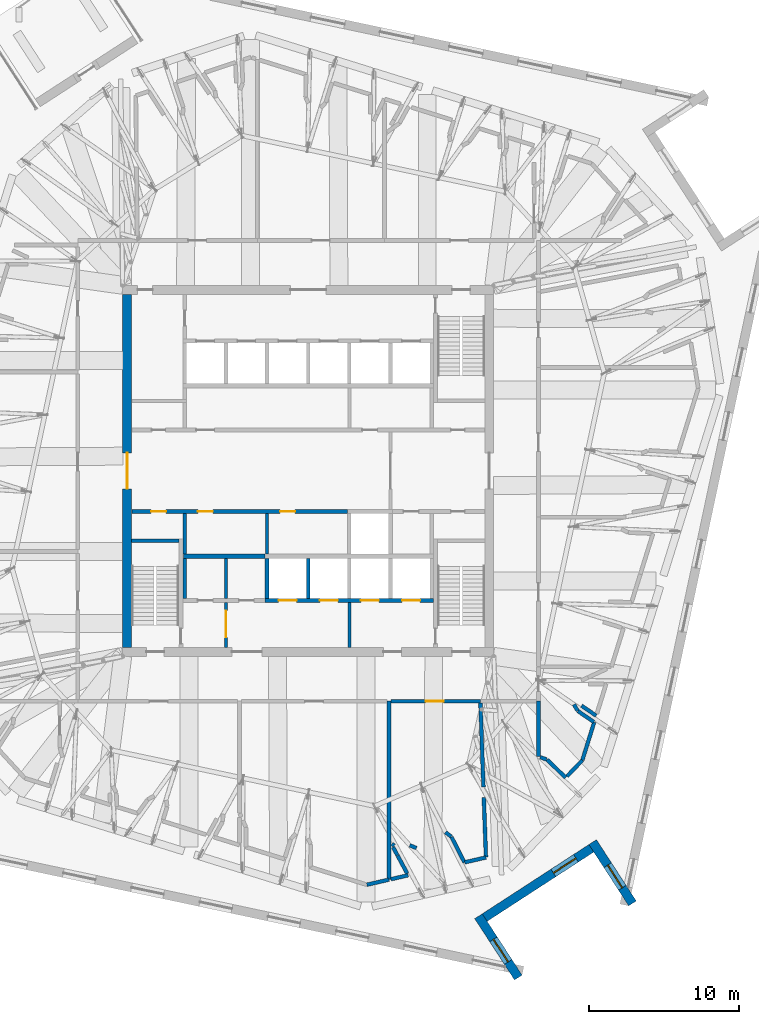
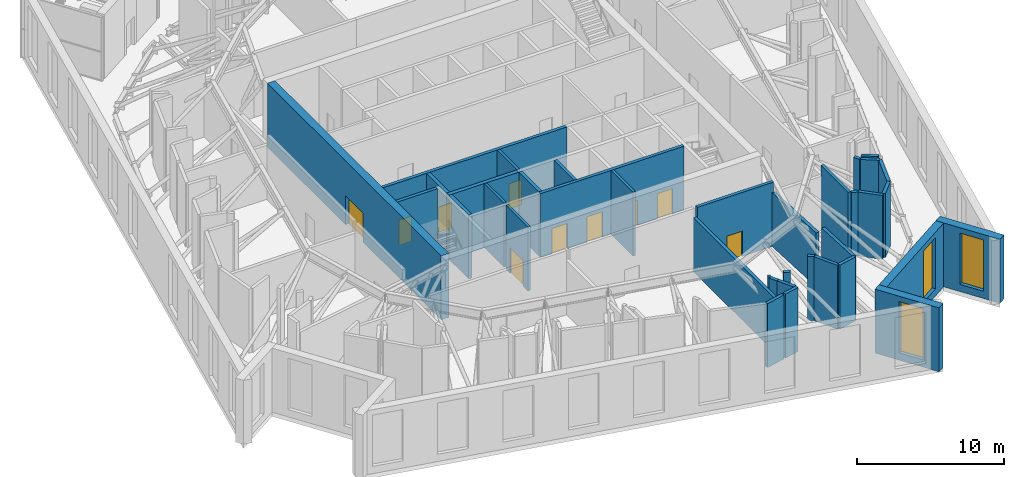
# One storey, part 8 of 19: 37 walls, 10 doors, 3 windows, 13 openings.
"""IFC4 building model written with IfcOpenShell, lengths in metres."""

from ifc_helpers import new_model, si_unit, direction, frame, frame_2d, origin, place, context, subcontext, project, spatial, rectangle, extrude, material, layer, layer_set, type_object, element, fill, save


model = new_model("IFC4")

# Units and contexts
model_context = context("Model", 3, precision=1e-05, world=origin(), true_north=direction((0.0, 1.0)))
body_context = subcontext(model_context, "Body", "Model", "MODEL_VIEW")
ifc_project = project(units=[si_unit("LENGTHUNIT", "METRE"), si_unit("AREAUNIT", "SQUARE_METRE"), si_unit("VOLUMEUNIT", "CUBIC_METRE"), si_unit("PLANEANGLEUNIT", "RADIAN"), si_unit("MASSUNIT", "GRAM", prefix="KILO")], contexts=[model_context])

# Site, building, storey
site_placement = place(None, origin())
site = spatial("IfcSite", under=ifc_project, at=site_placement, CompositionType="ELEMENT")
building_placement = place(site_placement, origin())
building = spatial("IfcBuilding", under=site, at=building_placement, Name="Dilmun Exchange Tower", CompositionType="ELEMENT")
storey_placement = place(building_placement, frame((0.0, 0.0, 344.5)))
storey = spatial("IfcBuildingStorey", under=building, at=storey_placement, Name="L82", CompositionType="ELEMENT", Elevation=344.5)

# Wall, opening, door
ifc_material_1 = material(Name="Concrete C40/50", Category="concrete")
ifc_layer_1 = layer(ifc_material_1, 0.199951171875)
ifc_layer_set_1 = layer_set([ifc_layer_1], Name="Concrete C40/50")
wall_type_1 = type_object("IfcWallType", Name="Core partition wall 200", PredefinedType="PARTITIONING", material=ifc_layer_set_1)
wall_1_placement = place(storey_placement, frame((-5.5, -11.794921875, 0.0), z_axis=(0.0, 0.0, 1.0), x_axis=(0.0, 1.0, 0.0)))
wall_1 = element("IfcWall", 1, at=wall_1_placement, inside=storey, type_object=wall_type_1, Name="L82 core partition wall 01", PredefinedType="PARTITIONING", context=body_context, shape_type="SweptSolid", body=[
    extrude(rectangle(XDim=2.989990234375, YDim=0.199951171875, at=frame_2d((1.4951171875, 0.0))), origin(), (0.0, 0.0, 1.0), 5.300048828125),
])
opening_1_placement = place(wall_1_placement, frame((0.657470703125, 0.0, 0.0)))
opening_1 = element("IfcOpeningElement", 2, at=opening_1_placement, cuts=wall_1, Name="Opening CD5", PredefinedType="OPENING", context=body_context, shape_type="SweptSolid", body=[
    extrude(rectangle(XDim=1.800048828125, YDim=2.10009765625, at=frame_2d((0.89990234375, 1.050048828125))), frame((0.0, 0.10986328125, 0.0), z_axis=(0.0, -1.0, 0.0), x_axis=(1.0, 0.0, 0.0)), (0.0, 0.0, 1.0), 0.219970703125),
])
ifc_material_2 = material(Name="Fire-rated steel door set", Category="steel")
door_type_1 = type_object("IfcDoorType", Name="Stair exit door 1800x2100", OperationType="SINGLE_SWING_LEFT", PredefinedType="DOOR", material=ifc_material_2)
door_1_placement = place(opening_1_placement, origin())
door_1 = element("IfcDoor", 3, at=door_1_placement, inside=storey, type_object=door_type_1, Name="L82 door Service lobby east", OperationType="SINGLE_SWING_LEFT", OverallHeight=2.10009765625, OverallWidth=1.800048828125, PredefinedType="DOOR", context=body_context, shape_type="SweptSolid", body=[
    extrude(rectangle(XDim=1.800048828125, YDim=2.10009765625, at=frame_2d((0.89990234375, 1.050048828125))), frame((0.0, 0.02490234375, 0.0), z_axis=(0.0, -1.0, 0.0), x_axis=(1.0, 0.0, 0.0)), (0.0, 0.0, 1.0), 0.050048828125),
])
fill(opening_1, door_1)

# Walls
wall_2_placement = place(storey_placement, frame((2.75, -11.794921875, 0.0), z_axis=(0.0, 0.0, 1.0), x_axis=(0.0, 1.0, 0.0)))
element("IfcWall", 4, at=wall_2_placement, inside=storey, type_object=wall_type_1, Name="L82 core partition wall 02", PredefinedType="PARTITIONING", context=body_context, shape_type="SweptSolid", body=[
    extrude(rectangle(XDim=2.989990234375, YDim=0.199951171875, at=frame_2d((1.4951171875, 0.0))), origin(), (0.0, 0.0, 1.0), 5.300048828125),
])
for number, where, z_axis, x_axis, name in (
    (5, (-5.5, -8.544921875, 0.0), (0.0, 0.0, 1.0), (0.0, 1.0, 0.0), "L82 core partition wall 05"),
    (6, (-2.75, -5.544921875, 0.0), (0.0, 0.0, 1.0), (0.0, 1.0, 0.0), "L82 core partition wall 08"),
):
    element("IfcWall", number, at=place(storey_placement, frame(where, z_axis=z_axis, x_axis=x_axis)), inside=storey, type_object=wall_type_1, Name=name, PredefinedType="PARTITIONING", context=body_context, shape_type="SweptSolid", body=[
        extrude(rectangle(XDim=2.68994140625, YDim=0.199951171875, at=frame_2d((1.344970703125, 0.0))), origin(), (0.0, 0.0, 1.0), 5.300048828125),
    ])
ifc_layer_2 = layer(ifc_material_1, 0.25)
ifc_layer_set_2 = layer_set([ifc_layer_2], Name="Concrete C40/50")
wall_type_2 = type_object("IfcWallType", Name="Core partition wall 250", PredefinedType="PARTITIONING", material=ifc_layer_set_2)
for number, where, z_axis, x_axis, name in (
    (7, (-8.25, -8.544921875, 0.0), (0.0, 0.0, 1.0), (0.0, 1.0, 0.0), "L82 core partition wall 04"),
    (8, (-8.25, -5.544921875, 0.0), (0.0, 0.0, 1.0), (0.0, 1.0, 0.0), "L82 core partition wall 07"),
):
    element("IfcWall", number, at=place(storey_placement, frame(where, z_axis=z_axis, x_axis=x_axis)), inside=storey, type_object=wall_type_2, Name=name, PredefinedType="PARTITIONING", context=body_context, shape_type="SweptSolid", body=[
        extrude(rectangle(XDim=2.68994140625, YDim=0.25, at=frame_2d((1.344970703125, 0.0))), origin(), (0.0, 0.0, 1.0), 5.300048828125),
    ])

# Wall, openings, doors
wall_3_placement = place(storey_placement, frame((-11.794921875, -2.72509765625, 0.0), z_axis=(0.0, 0.0, 1.0), x_axis=(1.0, 0.0, 0.0)))
wall_3 = element("IfcWall", 9, at=wall_3_placement, inside=storey, type_object=wall_type_2, Name="L82 core partition wall 10", PredefinedType="PARTITIONING", context=body_context, shape_type="SweptSolid", body=[
    extrude(rectangle(XDim=14.4150390625, YDim=0.25, at=frame_2d((7.20751953125, 0.0))), origin(), (0.0, 0.0, 1.0), 5.300048828125),
])
opening_2_placement = place(wall_3_placement, frame((1.294921875, 0.0, 0.0)))
opening_2 = element("IfcOpeningElement", 10, at=opening_2_placement, cuts=wall_3, Name="Opening CD4", PredefinedType="OPENING", context=body_context, shape_type="SweptSolid", body=[
    extrude(rectangle(XDim=1.0, YDim=2.10009765625, at=frame_2d((0.5, 1.050048828125))), frame((0.0, 0.135009765625, 0.0), z_axis=(0.0, -1.0, 0.0), x_axis=(1.0, 0.0, 0.0)), (0.0, 0.0, 1.0), 0.27001953125),
])
opening_3_placement = place(wall_3_placement, frame((4.419921875, 0.0, 0.0)))
opening_3 = element("IfcOpeningElement", 11, at=opening_3_placement, cuts=wall_3, Name="Opening CD4", PredefinedType="OPENING", context=body_context, shape_type="SweptSolid", body=[
    extrude(rectangle(XDim=1.0, YDim=2.10009765625, at=frame_2d((0.5, 1.050048828125))), frame((0.0, 0.135009765625, 0.0), z_axis=(0.0, -1.0, 0.0), x_axis=(1.0, 0.0, 0.0)), (0.0, 0.0, 1.0), 0.27001953125),
])
opening_4_placement = place(wall_3_placement, frame((9.919921875, 0.0, 0.0)))
opening_4 = element("IfcOpeningElement", 12, at=opening_4_placement, cuts=wall_3, Name="Opening CD4", PredefinedType="OPENING", context=body_context, shape_type="SweptSolid", body=[
    extrude(rectangle(XDim=1.0, YDim=2.10009765625, at=frame_2d((0.5, 1.050048828125))), frame((0.0, 0.135009765625, 0.0), z_axis=(0.0, -1.0, 0.0), x_axis=(1.0, 0.0, 0.0)), (0.0, 0.0, 1.0), 0.27001953125),
])
door_type_2 = type_object("IfcDoorType", Name="Core room door 1000x2100", OperationType="SINGLE_SWING_LEFT", PredefinedType="DOOR", material=ifc_material_2)
door_2_placement = place(opening_2_placement, origin())
door_2 = element("IfcDoor", 13, at=door_2_placement, inside=storey, type_object=door_type_2, Name="L82 door Accessible WC", OperationType="SINGLE_SWING_LEFT", OverallHeight=2.10009765625, OverallWidth=1.0, PredefinedType="DOOR", context=body_context, shape_type="SweptSolid", body=[
    extrude(rectangle(XDim=1.0, YDim=2.10009765625, at=frame_2d((0.5, 1.050048828125))), frame((0.0, 0.02490234375, 0.0), z_axis=(0.0, -1.0, 0.0), x_axis=(1.0, 0.0, 0.0)), (0.0, 0.0, 1.0), 0.050048828125),
])
fill(opening_2, door_2)
door_3_placement = place(opening_3_placement, origin())
door_3 = element("IfcDoor", 14, at=door_3_placement, inside=storey, type_object=door_type_2, Name="L82 door Mechanical room", OperationType="SINGLE_SWING_LEFT", OverallHeight=2.10009765625, OverallWidth=1.0, PredefinedType="DOOR", context=body_context, shape_type="SweptSolid", body=[
    extrude(rectangle(XDim=1.0, YDim=2.10009765625, at=frame_2d((0.5, 1.050048828125))), frame((0.0, 0.02490234375, 0.0), z_axis=(0.0, -1.0, 0.0), x_axis=(1.0, 0.0, 0.0)), (0.0, 0.0, 1.0), 0.050048828125),
])
fill(opening_3, door_3)
door_4_placement = place(opening_4_placement, origin())
door_4 = element("IfcDoor", 15, at=door_4_placement, inside=storey, type_object=door_type_2, Name="L82 door Tenant services room", OperationType="SINGLE_SWING_LEFT", OverallHeight=2.10009765625, OverallWidth=1.0, PredefinedType="DOOR", context=body_context, shape_type="SweptSolid", body=[
    extrude(rectangle(XDim=1.0, YDim=2.10009765625, at=frame_2d((0.5, 1.050048828125))), frame((0.0, 0.02490234375, 0.0), z_axis=(0.0, -1.0, 0.0), x_axis=(1.0, 0.0, 0.0)), (0.0, 0.0, 1.0), 0.050048828125),
])
fill(opening_4, door_4)

# Wall
ifc_layer_3 = layer(ifc_material_1, 0.300048828125)
ifc_layer_set_3 = layer_set([ifc_layer_3], Name="Concrete C40/50")
wall_type_3 = type_object("IfcWallType", Name="Core partition wall 300", PredefinedType="PARTITIONING", material=ifc_layer_set_3)
wall_4_placement = place(storey_placement, frame((-8.35009765625, -5.699951171875, 0.0), z_axis=(0.0, 0.0, 1.0), x_axis=(1.0, 0.0, 0.0)))
element("IfcWall", 16, at=wall_4_placement, inside=storey, type_object=wall_type_3, Name="L82 core partition wall 06", PredefinedType="PARTITIONING", context=body_context, shape_type="SweptSolid", body=[
    extrude(rectangle(XDim=5.47021484375, YDim=0.300048828125, at=frame_2d((2.735107421875, 0.0))), origin(), (0.0, 0.0, 1.0), 5.300048828125),
])

# Wall, opening, door
ifc_material_3 = material(Name="Concrete C50/60", Category="concrete")
ifc_layer_4 = layer(ifc_material_3, 0.60009765625)
ifc_layer_set_4 = layer_set([ifc_layer_4], Name="Concrete C50/60")
wall_type_4 = type_object("IfcWallType", Name="Core shear wall 600 Concrete C50/60", PredefinedType="SHEAR", material=ifc_layer_set_4)
wall_5_placement = place(storey_placement, frame((-12.10009765625, -11.800048828125, 0.0), z_axis=(0.0, 0.0, 1.0), x_axis=(0.0, 1.0, 0.0)))
wall_5 = element("IfcWall", 17, at=wall_5_placement, inside=storey, type_object=wall_type_4, Name="L82 core shear wall W", PredefinedType="SHEAR", context=body_context, shape_type="SweptSolid", body=[
    extrude(rectangle(XDim=23.60009765625, YDim=0.60009765625, at=frame_2d((11.800048828125, 0.0))), origin(), (0.0, 0.0, 1.0), 5.300048828125),
])
opening_5_placement = place(wall_5_placement, frame((10.60009765625, 0.0, 0.0)))
opening_5 = element("IfcOpeningElement", 18, at=opening_5_placement, cuts=wall_5, Name="Opening CD1", PredefinedType="OPENING", context=body_context, shape_type="SweptSolid", body=[
    extrude(rectangle(XDim=2.39990234375, YDim=2.39990234375, at=frame_2d((1.199951171875, 1.199951171875))), frame((0.0, 0.31005859375, 0.0), z_axis=(0.0, -1.0, 0.0), x_axis=(1.0, 0.0, 0.0)), (0.0, 0.0, 1.0), 0.6201171875),
])
door_type_3 = type_object("IfcDoorType", Name="Core lobby door 2400x2400", OperationType="DOUBLE_DOOR_DOUBLE_SWING", PredefinedType="DOOR", material=ifc_material_2)
door_5_placement = place(opening_5_placement, origin())
door_5 = element("IfcDoor", 19, at=door_5_placement, inside=storey, type_object=door_type_3, Name="L82 door Central lift lobby", OperationType="SINGLE_SWING_LEFT", OverallHeight=2.39990234375, OverallWidth=2.39990234375, PredefinedType="DOOR", context=body_context, shape_type="SweptSolid", body=[
    extrude(rectangle(XDim=2.39990234375, YDim=2.39990234375, at=frame_2d((1.199951171875, 1.199951171875))), frame((0.0, 0.02490234375, 0.0), z_axis=(0.0, -1.0, 0.0), x_axis=(1.0, 0.0, 0.0)), (0.0, 0.0, 1.0), 0.050048828125),
])
fill(opening_5, door_5)

# Wall, openings, doors
ifc_layer_5 = layer(ifc_material_1, 0.25)
ifc_layer_set_5 = layer_set([ifc_layer_5], Name="Concrete C40/50")
wall_type_5 = type_object("IfcWallType", Name="Lift shaft wall 250", PredefinedType="SOLIDWALL", material=ifc_layer_set_5)
wall_6_placement = place(storey_placement, frame((-2.875, -8.675048828125, 0.0), z_axis=(0.0, 0.0, 1.0), x_axis=(1.0, 0.0, 0.0)))
wall_6 = element("IfcWall", 20, at=wall_6_placement, inside=storey, type_object=wall_type_5, Name="L82 lift shaft front wall S2", PredefinedType="SOLIDWALL", context=body_context, shape_type="SweptSolid", body=[
    extrude(rectangle(XDim=11.25, YDim=0.25, at=frame_2d((5.625, 0.0))), origin(), (0.0, 0.0, 1.0), 5.300048828125),
])
opening_6_placement = place(wall_6_placement, frame((0.89990234375, 0.0, 0.0)))
opening_6 = element("IfcOpeningElement", 21, at=opening_6_placement, cuts=wall_6, Name="Opening LD", PredefinedType="OPENING", context=body_context, shape_type="SweptSolid", body=[
    extrude(rectangle(XDim=1.199951171875, YDim=2.10009765625, at=frame_2d((0.60009765625, 1.050048828125))), frame((0.0, 0.135009765625, 0.0), z_axis=(0.0, -1.0, 0.0), x_axis=(1.0, 0.0, 0.0)), (0.0, 0.0, 1.0), 0.27001953125),
])
opening_7_placement = place(wall_6_placement, frame((3.64990234375, 0.0, 0.0)))
opening_7 = element("IfcOpeningElement", 22, at=opening_7_placement, cuts=wall_6, Name="Opening LD", PredefinedType="OPENING", context=body_context, shape_type="SweptSolid", body=[
    extrude(rectangle(XDim=1.199951171875, YDim=2.10009765625, at=frame_2d((0.60009765625, 1.050048828125))), frame((0.0, 0.135009765625, 0.0), z_axis=(0.0, -1.0, 0.0), x_axis=(1.0, 0.0, 0.0)), (0.0, 0.0, 1.0), 0.27001953125),
])
opening_8_placement = place(wall_6_placement, frame((6.39990234375, 0.0, 0.0)))
opening_8 = element("IfcOpeningElement", 23, at=opening_8_placement, cuts=wall_6, Name="Opening LD", PredefinedType="OPENING", context=body_context, shape_type="SweptSolid", body=[
    extrude(rectangle(XDim=1.199951171875, YDim=2.10009765625, at=frame_2d((0.60009765625, 1.050048828125))), frame((0.0, 0.135009765625, 0.0), z_axis=(0.0, -1.0, 0.0), x_axis=(1.0, 0.0, 0.0)), (0.0, 0.0, 1.0), 0.27001953125),
])
opening_9_placement = place(wall_6_placement, frame((9.14990234375, 0.0, 0.0)))
opening_9 = element("IfcOpeningElement", 24, at=opening_9_placement, cuts=wall_6, Name="Opening LD", PredefinedType="OPENING", context=body_context, shape_type="SweptSolid", body=[
    extrude(rectangle(XDim=1.199951171875, YDim=2.10009765625, at=frame_2d((0.60009765625, 1.050048828125))), frame((0.0, 0.135009765625, 0.0), z_axis=(0.0, -1.0, 0.0), x_axis=(1.0, 0.0, 0.0)), (0.0, 0.0, 1.0), 0.27001953125),
])
door_type_4 = type_object("IfcDoorType", Name="Lift landing door 1200x2100", OperationType="DOUBLE_DOOR_SLIDING", PredefinedType="DOOR", material=ifc_material_2)
door_6_placement = place(opening_6_placement, origin())
door_6 = element("IfcDoor", 25, at=door_6_placement, inside=storey, type_object=door_type_4, Name="L82 landing door SV1", OperationType="DOUBLE_DOOR_SLIDING", OverallHeight=2.10009765625, OverallWidth=1.199951171875, PredefinedType="DOOR", context=body_context, shape_type="SweptSolid", body=[
    extrude(rectangle(XDim=1.199951171875, YDim=2.10009765625, at=frame_2d((0.60009765625, 1.050048828125))), frame((0.0, 0.02490234375, 0.0), z_axis=(0.0, -1.0, 0.0), x_axis=(1.0, 0.0, 0.0)), (0.0, 0.0, 1.0), 0.050048828125),
])
fill(opening_6, door_6)
door_7_placement = place(opening_7_placement, origin())
door_7 = element("IfcDoor", 26, at=door_7_placement, inside=storey, type_object=door_type_4, Name="L82 landing door SV2", OperationType="DOUBLE_DOOR_SLIDING", OverallHeight=2.10009765625, OverallWidth=1.199951171875, PredefinedType="DOOR", context=body_context, shape_type="SweptSolid", body=[
    extrude(rectangle(XDim=1.199951171875, YDim=2.10009765625, at=frame_2d((0.60009765625, 1.050048828125))), frame((0.0, 0.02490234375, 0.0), z_axis=(0.0, -1.0, 0.0), x_axis=(1.0, 0.0, 0.0)), (0.0, 0.0, 1.0), 0.050048828125),
])
fill(opening_7, door_7)
door_8_placement = place(opening_8_placement, origin())
door_8 = element("IfcDoor", 27, at=door_8_placement, inside=storey, type_object=door_type_4, Name="L82 landing door FF1", OperationType="DOUBLE_DOOR_SLIDING", OverallHeight=2.10009765625, OverallWidth=1.199951171875, PredefinedType="DOOR", context=body_context, shape_type="SweptSolid", body=[
    extrude(rectangle(XDim=1.199951171875, YDim=2.10009765625, at=frame_2d((0.60009765625, 1.050048828125))), frame((0.0, 0.02490234375, 0.0), z_axis=(0.0, -1.0, 0.0), x_axis=(1.0, 0.0, 0.0)), (0.0, 0.0, 1.0), 0.050048828125),
])
fill(opening_8, door_8)
door_9_placement = place(opening_9_placement, origin())
door_9 = element("IfcDoor", 28, at=door_9_placement, inside=storey, type_object=door_type_4, Name="L82 landing door FF2", OperationType="DOUBLE_DOOR_SLIDING", OverallHeight=2.10009765625, OverallWidth=1.199951171875, PredefinedType="DOOR", context=body_context, shape_type="SweptSolid", body=[
    extrude(rectangle(XDim=1.199951171875, YDim=2.10009765625, at=frame_2d((0.60009765625, 1.050048828125))), frame((0.0, 0.02490234375, 0.0), z_axis=(0.0, -1.0, 0.0), x_axis=(1.0, 0.0, 0.0)), (0.0, 0.0, 1.0), 0.050048828125),
])
fill(opening_9, door_9)

# Walls
for number, where, z_axis, x_axis, name in (
    (29, (-2.75, -8.550048828125, 0.0), (0.0, 0.0, 1.0), (0.0, 1.0, 0.0), "L82 lift shaft divider S22"),
    (30, (0.0, -8.550048828125, 0.0), (0.0, 0.0, 1.0), (0.0, 1.0, 0.0), "L82 lift shaft divider S23"),
):
    element("IfcWall", number, at=place(storey_placement, frame(where, z_axis=z_axis, x_axis=x_axis)), inside=storey, type_object=wall_type_5, Name=name, PredefinedType="SOLIDWALL", context=body_context, shape_type="SweptSolid", body=[
        extrude(rectangle(XDim=2.699951171875, YDim=0.25, at=frame_2d((1.35009765625, 0.0))), origin(), (0.0, 0.0, 1.0), 5.300048828125),
    ])
ifc_material_4 = material(Name="Concrete C32/40", Category="concrete")
ifc_layer_6 = layer(ifc_material_4, 0.25)
ifc_layer_set_6 = layer_set([ifc_layer_6], Name="Concrete C32/40")
wall_type_6 = type_object("IfcWallType", Name="Plant room wall 250", PredefinedType="PARTITIONING", material=ifc_layer_set_6)
wall_7_placement = place(storey_placement, frame((3.92138671875, -27.666259765625, 0.0), z_axis=(0.0, 0.0, 1.0), x_axis=(0.974796530955, 0.22309577145, 0.0)))
element("IfcWall", 31, at=wall_7_placement, inside=storey, type_object=wall_type_6, Name="L82 plant room wall 02", PredefinedType="PARTITIONING", context=body_context, shape_type="SweptSolid", body=[
    extrude(rectangle(XDim=1.516845703125, YDim=0.25, at=frame_2d((0.75830078125, 0.0))), origin(), (0.0, 0.0, 1.0), 5.300048828125),
])
wall_8_placement = place(storey_placement, frame((5.39990234375, -27.305419921875, 0.0), z_axis=(0.0, 0.0, 1.0), x_axis=(0.0, 1.0, 0.0)))
element("IfcWall", 32, at=wall_8_placement, inside=storey, type_object=wall_type_6, Name="L82 plant room wall 03", PredefinedType="PARTITIONING", context=body_context, shape_type="SweptSolid", body=[
    extrude(rectangle(XDim=11.905517578125, YDim=0.25, at=frame_2d((5.95263671875, 0.0))), origin(), (0.0, 0.0, 1.0), 4.466064453125),
])
wall_9_placement = place(storey_placement, frame((5.530029296875, -27.298095703125, 0.0), z_axis=(0.0, 0.0, 1.0), x_axis=(0.974830364518, 0.222947887214, 0.0)))
element("IfcWall", 33, at=wall_9_placement, inside=storey, type_object=wall_type_6, Name="L82 plant room wall 04", PredefinedType="PARTITIONING", context=body_context, shape_type="SweptSolid", body=[
    extrude(rectangle(XDim=1.184814453125, YDim=0.25, at=frame_2d((0.59228515625, 0.0))), origin(), (0.0, 0.0, 1.0), 5.300048828125),
])
wall_10_placement = place(storey_placement, frame((9.578125, -24.478515625, 0.0), z_axis=(0.0, 0.0, 1.0), x_axis=(0.454534722165, -0.890729019593, 0.0)))
element("IfcWall", 34, at=wall_10_placement, inside=storey, type_object=wall_type_6, Name="L82 plant room wall 06", PredefinedType="PARTITIONING", context=body_context, shape_type="SweptSolid", body=[
    extrude(rectangle(XDim=1.903564453125, YDim=0.25, at=frame_2d((0.95166015625, 0.0))), origin(), (0.0, 0.0, 1.0), 5.300048828125),
])
wall_11_placement = place(storey_placement, frame((10.463134765625, -26.16943359375, 0.0), z_axis=(0.0, 0.0, 1.0), x_axis=(0.974822047158, 0.222984251407, 0.0)))
element("IfcWall", 35, at=wall_11_placement, inside=storey, type_object=wall_type_6, Name="L82 plant room wall 08", PredefinedType="PARTITIONING", context=body_context, shape_type="SweptSolid", body=[
    extrude(rectangle(XDim=1.455078125, YDim=0.25, at=frame_2d((0.7275390625, 0.0))), origin(), (0.0, 0.0, 1.0), 5.300048828125),
])
wall_12_placement = place(storey_placement, frame((5.97509765625, -25.71826171875, 0.0), z_axis=(0.0, 0.0, 1.0), x_axis=(0.474784754211, -0.880101947031, 0.0)))
element("IfcWall", 36, at=wall_12_placement, inside=storey, type_object=wall_type_6, Name="L82 plant room wall 09", PredefinedType="PARTITIONING", context=body_context, shape_type="SweptSolid", body=[
    extrude(rectangle(XDim=1.360107421875, YDim=0.25, at=frame_2d((0.68017578125, 0.0))), origin(), (0.0, 0.0, 1.0), 5.300048828125),
])
wall_13_placement = place(storey_placement, frame((6.789306640625, -25.02734375, 0.0), z_axis=(0.0, 0.0, 1.0), x_axis=(0.919666384424, -0.392700574688, 0.0)))
element("IfcWall", 37, at=wall_13_placement, inside=storey, type_object=wall_type_6, Name="L82 plant room wall 10", PredefinedType="PARTITIONING", context=body_context, shape_type="SweptSolid", body=[
    extrude(rectangle(XDim=0.483642578125, YDim=0.25, at=frame_2d((0.24169921875, 0.0))), origin(), (0.0, 0.0, 1.0), 5.300048828125),
])
wall_14_placement = place(storey_placement, frame((5.59423828125, -24.93798828125, 0.0), z_axis=(0.0, 0.0, 1.0), x_axis=(0.802356564806, -0.596844990691, 0.0)))
element("IfcWall", 38, at=wall_14_placement, inside=storey, type_object=wall_type_6, Name="L82 plant room wall 11", PredefinedType="PARTITIONING", context=body_context, shape_type="SweptSolid", body=[
    extrude(rectangle(XDim=0.198486328125, YDim=0.25, at=frame_2d((0.09912109375, 0.0))), origin(), (0.0, 0.0, 1.0), 5.300048828125),
])
wall_15_placement = place(storey_placement, frame((5.673095703125, -25.158447265625, 0.0), z_axis=(0.0, 0.0, 1.0), x_axis=(0.474826296698, -0.880079535022, 0.0)))
element("IfcWall", 39, at=wall_15_placement, inside=storey, type_object=wall_type_6, Name="L82 plant room wall 15", PredefinedType="PARTITIONING", context=body_context, shape_type="SweptSolid", body=[
    extrude(rectangle(XDim=0.62109375, YDim=0.25, at=frame_2d((0.310546875, 0.0))), origin(), (0.0, 0.0, 1.0), 5.300048828125),
])
wall_16_placement = place(storey_placement, frame((9.17822265625, -24.158447265625, 0.0), z_axis=(0.0, 0.0, 1.0), x_axis=(0.788345635583, -0.61523260549, 0.0)))
element("IfcWall", 40, at=wall_16_placement, inside=storey, type_object=wall_type_6, Name="L82 plant room wall 18", PredefinedType="PARTITIONING", context=body_context, shape_type="SweptSolid", body=[
    extrude(rectangle(XDim=0.483642578125, YDim=0.25, at=frame_2d((0.24169921875, 0.0))), origin(), (0.0, 0.0, 1.0), 5.300048828125),
])
wall_17_placement = place(storey_placement, frame((11.73828125, -21.84765625, 0.0), z_axis=(0.0, 0.0, 1.0), x_axis=(0.035884399493, -0.999355947535, 0.0)))
element("IfcWall", 41, at=wall_17_placement, inside=storey, type_object=wall_type_6, Name="L82 plant room wall 32", PredefinedType="PARTITIONING", context=body_context, shape_type="SweptSolid", body=[
    extrude(rectangle(XDim=3.97314453125, YDim=0.25, at=frame_2d((1.986572265625, 0.0))), origin(), (0.0, 0.0, 1.0), 5.300048828125),
])
wall_18_placement = place(storey_placement, frame((15.9580078125, -19.3056640625, 0.0), z_axis=(0.0, 0.0, 1.0), x_axis=(0.7218419768, -0.692057917034, 0.0)))
element("IfcWall", 42, at=wall_18_placement, inside=storey, type_object=wall_type_6, Name="L82 plant room wall 39", PredefinedType="PARTITIONING", context=body_context, shape_type="SweptSolid", body=[
    extrude(rectangle(XDim=1.73779296875, YDim=0.25, at=frame_2d((0.868896484375, 0.0))), origin(), (0.0, 0.0, 1.0), 5.300048828125),
])
wall_19_placement = place(storey_placement, frame((17.30224609375, -20.414306640625, 0.0), z_axis=(0.0, 0.0, 1.0), x_axis=(0.692135440406, 0.721767644145, 0.0)))
element("IfcWall", 43, at=wall_19_placement, inside=storey, type_object=wall_type_6, Name="L82 plant room wall 41", PredefinedType="PARTITIONING", context=body_context, shape_type="SweptSolid", body=[
    extrude(rectangle(XDim=1.474853515625, YDim=0.25, at=frame_2d((0.7373046875, 0.0))), origin(), (0.0, 0.0, 1.0), 5.300048828125),
])
wall_20_placement = place(storey_placement, frame((15.50341796875, -19.144287109375, 0.0), z_axis=(0.0, 0.0, 1.0), x_axis=(0.946618463561, -0.322356145351, 0.0)))
element("IfcWall", 44, at=wall_20_placement, inside=storey, type_object=wall_type_6, Name="L82 plant room wall 42", PredefinedType="PARTITIONING", context=body_context, shape_type="SweptSolid", body=[
    extrude(rectangle(XDim=0.45361328125, YDim=0.25, at=frame_2d((0.226806640625, 0.0))), origin(), (0.0, 0.0, 1.0), 5.300048828125),
])
wall_21_placement = place(storey_placement, frame((15.39990234375, -19.109130859375, 0.0), z_axis=(0.0, 0.0, 1.0), x_axis=(0.0, 1.0, 0.0)))
element("IfcWall", 45, at=wall_21_placement, inside=storey, type_object=wall_type_6, Name="L82 plant room wall 44", PredefinedType="PARTITIONING", context=body_context, shape_type="SweptSolid", body=[
    extrude(rectangle(XDim=3.709228515625, YDim=0.25, at=frame_2d((1.8544921875, 0.0))), origin(), (0.0, 0.0, 1.0), 5.300048828125),
])
wall_22_placement = place(storey_placement, frame((18.32470703125, -19.344482421875, 0.0), z_axis=(0.0, 0.0, 1.0), x_axis=(0.297454932752, 0.95473586032, 0.0)))
element("IfcWall", 46, at=wall_22_placement, inside=storey, type_object=wall_type_6, Name="L82 plant room wall 49", PredefinedType="PARTITIONING", context=body_context, shape_type="SweptSolid", body=[
    extrude(rectangle(XDim=2.66162109375, YDim=0.25, at=frame_2d((1.330810546875, 0.0))), origin(), (0.0, 0.0, 1.0), 5.300048828125),
])
wall_23_placement = place(storey_placement, frame((18.272705078125, -15.70068359375, 0.0), z_axis=(0.0, 0.0, 1.0), x_axis=(0.825145635272, -0.564920065665, 0.0)))
element("IfcWall", 47, at=wall_23_placement, inside=storey, type_object=wall_type_6, Name="L82 plant room wall 52", PredefinedType="PARTITIONING", context=body_context, shape_type="SweptSolid", body=[
    extrude(rectangle(XDim=1.185791015625, YDim=0.25, at=frame_2d((0.5927734375, 0.0))), origin(), (0.0, 0.0, 1.0), 5.300048828125),
])
wall_24_placement = place(storey_placement, frame((18.028076171875, -16.05810546875, 0.0), z_axis=(0.0, 0.0, 1.0), x_axis=(0.825091021262, -0.564999828878, 0.0)))
element("IfcWall", 48, at=wall_24_placement, inside=storey, type_object=wall_type_6, Name="L82 plant room wall 53", PredefinedType="PARTITIONING", context=body_context, shape_type="SweptSolid", body=[
    extrude(rectangle(XDim=1.302001953125, YDim=0.25, at=frame_2d((0.65087890625, 0.0))), origin(), (0.0, 0.0, 1.0), 5.300048828125),
])
wall_25_placement = place(storey_placement, frame((17.761962890625, -15.620361328125, 0.0), z_axis=(0.0, 0.0, 1.0), x_axis=(0.508695307206, -0.860946621125, 0.0)))
element("IfcWall", 49, at=wall_25_placement, inside=storey, type_object=wall_type_6, Name="L82 plant room wall 54", PredefinedType="PARTITIONING", context=body_context, shape_type="SweptSolid", body=[
    extrude(rectangle(XDim=0.48388671875, YDim=0.25, at=frame_2d((0.241943359375, 0.0))), origin(), (0.0, 0.0, 1.0), 5.300048828125),
])

# Wall, opening, door
wall_26_placement = place(storey_placement, frame((5.530029296875, -15.39990234375, 0.0), z_axis=(0.0, 0.0, 1.0), x_axis=(1.0, 0.0, 0.0)))
wall_26 = element("IfcWall", 50, at=wall_26_placement, inside=storey, type_object=wall_type_6, Name="L82 plant room wall 60", PredefinedType="PARTITIONING", context=body_context, shape_type="SweptSolid", body=[
    extrude(rectangle(XDim=5.97705078125, YDim=0.25, at=frame_2d((2.988525390625, 0.0))), origin(), (0.0, 0.0, 1.0), 5.300048828125),
])
opening_10_placement = place(wall_26_placement, frame((2.323486328125, 0.0, 0.0)))
opening_10 = element("IfcOpeningElement", 51, at=opening_10_placement, cuts=wall_26, Name="Opening PD2", PredefinedType="OPENING", context=body_context, shape_type="SweptSolid", body=[
    extrude(rectangle(XDim=1.199951171875, YDim=2.10009765625, at=frame_2d((0.60009765625, 1.050048828125))), frame((0.0, 0.135009765625, 0.0), z_axis=(0.0, -1.0, 0.0), x_axis=(1.0, 0.0, 0.0)), (0.0, 0.0, 1.0), 0.27001953125),
])
door_type_5 = type_object("IfcDoorType", Name="Plant room door 1200x2100", OperationType="SINGLE_SWING_LEFT", PredefinedType="DOOR", material=ifc_material_2)
door_10_placement = place(opening_10_placement, origin())
door_10 = element("IfcDoor", 52, at=door_10_placement, inside=storey, type_object=door_type_5, Name="L82 door Plant fire pump room", OperationType="SINGLE_SWING_LEFT", OverallHeight=2.10009765625, OverallWidth=1.199951171875, PredefinedType="DOOR", context=body_context, shape_type="SweptSolid", body=[
    extrude(rectangle(XDim=1.199951171875, YDim=2.10009765625, at=frame_2d((0.60009765625, 1.050048828125))), frame((0.0, 0.02490234375, 0.0), z_axis=(0.0, -1.0, 0.0), x_axis=(1.0, 0.0, 0.0)), (0.0, 0.0, 1.0), 0.050048828125),
])
fill(opening_10, door_10)

# Wall
wall_27_placement = place(storey_placement, frame((11.51171875, -15.527099609375, 0.0), z_axis=(0.0, 0.0, 1.0), x_axis=(0.03583873109, -0.999357586329, 0.0)))
element("IfcWall", 53, at=wall_27_placement, inside=storey, type_object=wall_type_6, Name="L82 plant room wall 61", PredefinedType="PARTITIONING", context=body_context, shape_type="SweptSolid", body=[
    extrude(rectangle(XDim=5.6201171875, YDim=0.25, at=frame_2d((2.81005859375, 0.0))), origin(), (0.0, 0.0, 1.0), 4.466064453125),
])

# Wall, opening, window
ifc_material_5 = material(Name="Precast concrete C50/60", Category="concrete")
ifc_layer_7 = layer(ifc_material_5, 0.60009765625)
ifc_layer_set_7 = layer_set([ifc_layer_7], Name="Precast concrete C50/60")
wall_type_7 = type_object("IfcWallType", Name="Precast stone-clad wall 600", PredefinedType="STANDARD", material=ifc_layer_set_7)
wall_28_placement = place(storey_placement, frame((14.0419921875, -33.871826171875, 0.0), z_axis=(0.0, 0.0, 1.0), x_axis=(-0.5446387666, 0.838670742256, 0.0)))
wall_28 = element("IfcWall", 54, at=wall_28_placement, inside=storey, type_object=wall_type_7, Name="Facade wall L82-08", PredefinedType="STANDARD", context=body_context, shape_type="SweptSolid", body=[
    extrude(rectangle(XDim=4.885498046875, YDim=0.60009765625, at=frame_2d((2.44287109375, 0.0))), origin(), (0.0, 0.0, 1.0), 5.300048828125),
])
opening_11_placement = place(wall_28_placement, frame((1.242919921875, 0.0, 0.60009765625)))
opening_11 = element("IfcOpeningElement", 55, at=opening_11_placement, cuts=wall_28, Name="Opening LV180-425", PredefinedType="OPENING", context=body_context, shape_type="SweptSolid", body=[
    extrude(rectangle(XDim=1.800048828125, YDim=4.25, at=frame_2d((0.89990234375, 2.125))), frame((0.0, 0.31005859375, 0.0), z_axis=(0.0, -1.0, 0.0), x_axis=(1.0, 0.0, 0.0)), (0.0, 0.0, 1.0), 0.6201171875),
])
ifc_material_6 = material(Name="Anodised aluminium louvre blades with sand trap", Category="aluminium")
window_type = type_object("IfcWindowType", Name="Plant louvre 1800 x 4250", PartitioningType="SINGLE_PANEL", PredefinedType="USERDEFINED", material=ifc_material_6)
window_1_placement = place(opening_11_placement, origin())
window_1 = element("IfcWindow", 56, at=window_1_placement, inside=storey, type_object=window_type, Name="Plant louvre 9.1", ObjectType="LOUVRE", OverallHeight=4.25, OverallWidth=1.800048828125, PartitioningType="SINGLE_PANEL", PredefinedType="USERDEFINED", context=body_context, shape_type="SweptSolid", body=[
    extrude(rectangle(XDim=1.800048828125, YDim=4.25, at=frame_2d((0.89990234375, 2.125))), frame((0.0, 0.030029296875, 0.0), z_axis=(0.0, -1.0, 0.0), x_axis=(1.0, 0.0, 0.0)), (0.0, 0.0, 1.0), 0.06005859375),
])
fill(opening_11, window_1)

wall_29_placement = place(storey_placement, frame((11.796142578125, -29.86279296875, 0.0), z_axis=(0.0, 0.0, 1.0), x_axis=(0.838658134561, 0.544658180269, 0.0)))
wall_29 = element("IfcWall", 57, at=wall_29_placement, inside=storey, type_object=wall_type_7, Name="Facade wall L82-09", PredefinedType="STANDARD", context=body_context, shape_type="SweptSolid", body=[
    extrude(rectangle(XDim=8.5, YDim=0.60009765625, at=frame_2d((4.25, 0.0))), origin(), (0.0, 0.0, 1.0), 5.300048828125),
])
opening_12_placement = place(wall_29_placement, frame((5.47509765625, 0.0, 0.60009765625)))
opening_12 = element("IfcOpeningElement", 58, at=opening_12_placement, cuts=wall_29, Name="Opening LV180-425", PredefinedType="OPENING", context=body_context, shape_type="SweptSolid", body=[
    extrude(rectangle(XDim=1.800048828125, YDim=4.25, at=frame_2d((0.89990234375, 2.125))), frame((0.0, 0.31005859375, 0.0), z_axis=(0.0, -1.0, 0.0), x_axis=(1.0, 0.0, 0.0)), (0.0, 0.0, 1.0), 0.6201171875),
])
window_2_placement = place(opening_12_placement, origin())
window_2 = element("IfcWindow", 59, at=window_2_placement, inside=storey, type_object=window_type, Name="Plant louvre 10.2", ObjectType="LOUVRE", OverallHeight=4.25, OverallWidth=1.800048828125, PartitioningType="SINGLE_PANEL", PredefinedType="USERDEFINED", context=body_context, shape_type="SweptSolid", body=[
    extrude(rectangle(XDim=1.800048828125, YDim=4.25, at=frame_2d((0.89990234375, 2.125))), frame((0.0, 0.030029296875, 0.0), z_axis=(0.0, -1.0, 0.0), x_axis=(1.0, 0.0, 0.0)), (0.0, 0.0, 1.0), 0.06005859375),
])
fill(opening_12, window_2)

wall_30_placement = place(storey_placement, frame((19.012939453125, -24.818115234375, 0.0), z_axis=(0.0, 0.0, 1.0), x_axis=(0.5446387666, -0.838670742256, 0.0)))
wall_30 = element("IfcWall", 60, at=wall_30_placement, inside=storey, type_object=wall_type_7, Name="Facade wall L82-10", PredefinedType="STANDARD", context=body_context, shape_type="SweptSolid", body=[
    extrude(rectangle(XDim=4.885498046875, YDim=0.60009765625, at=frame_2d((2.44287109375, 0.0))), origin(), (0.0, 0.0, 1.0), 5.300048828125),
])
opening_13_placement = place(wall_30_placement, frame((1.8427734375, 0.0, 0.60009765625)))
opening_13 = element("IfcOpeningElement", 61, at=opening_13_placement, cuts=wall_30, Name="Opening LV180-425", PredefinedType="OPENING", context=body_context, shape_type="SweptSolid", body=[
    extrude(rectangle(XDim=1.800048828125, YDim=4.25, at=frame_2d((0.89990234375, 2.125))), frame((0.0, 0.31005859375, 0.0), z_axis=(0.0, -1.0, 0.0), x_axis=(1.0, 0.0, 0.0)), (0.0, 0.0, 1.0), 0.6201171875),
])
window_3_placement = place(opening_13_placement, origin())
window_3 = element("IfcWindow", 62, at=window_3_placement, inside=storey, type_object=window_type, Name="Plant louvre 11.1", ObjectType="LOUVRE", OverallHeight=4.25, OverallWidth=1.800048828125, PartitioningType="SINGLE_PANEL", PredefinedType="USERDEFINED", context=body_context, shape_type="SweptSolid", body=[
    extrude(rectangle(XDim=1.800048828125, YDim=4.25, at=frame_2d((0.89990234375, 2.125))), frame((0.0, 0.030029296875, 0.0), z_axis=(0.0, -1.0, 0.0), x_axis=(1.0, 0.0, 0.0)), (0.0, 0.0, 1.0), 0.06005859375),
])
fill(opening_13, window_3)

# Wall
ifc_layer_8 = layer(ifc_material_1, 0.25)
ifc_layer_set_8 = layer_set([ifc_layer_8], Name="Concrete C40/50")
wall_type_8 = type_object("IfcWallType", Name="Stair end wall 250", PredefinedType="SOLIDWALL", material=ifc_layer_set_8)
wall_31_placement = place(storey_placement, frame((-8.64990234375, -4.675048828125, 0.0), z_axis=(0.0, 0.0, 1.0), x_axis=(-1.0, 0.0, 0.0)))
element("IfcWall", 63, at=wall_31_placement, inside=storey, type_object=wall_type_8, Name="L82 ST2 far wall", PredefinedType="SOLIDWALL", context=body_context, shape_type="SweptSolid", body=[
    extrude(rectangle(XDim=3.150146484375, YDim=0.25, at=frame_2d((1.5751953125, 0.0))), origin(), (0.0, 0.0, 1.0), 5.300048828125),
])

save(model, "model.ifc")
